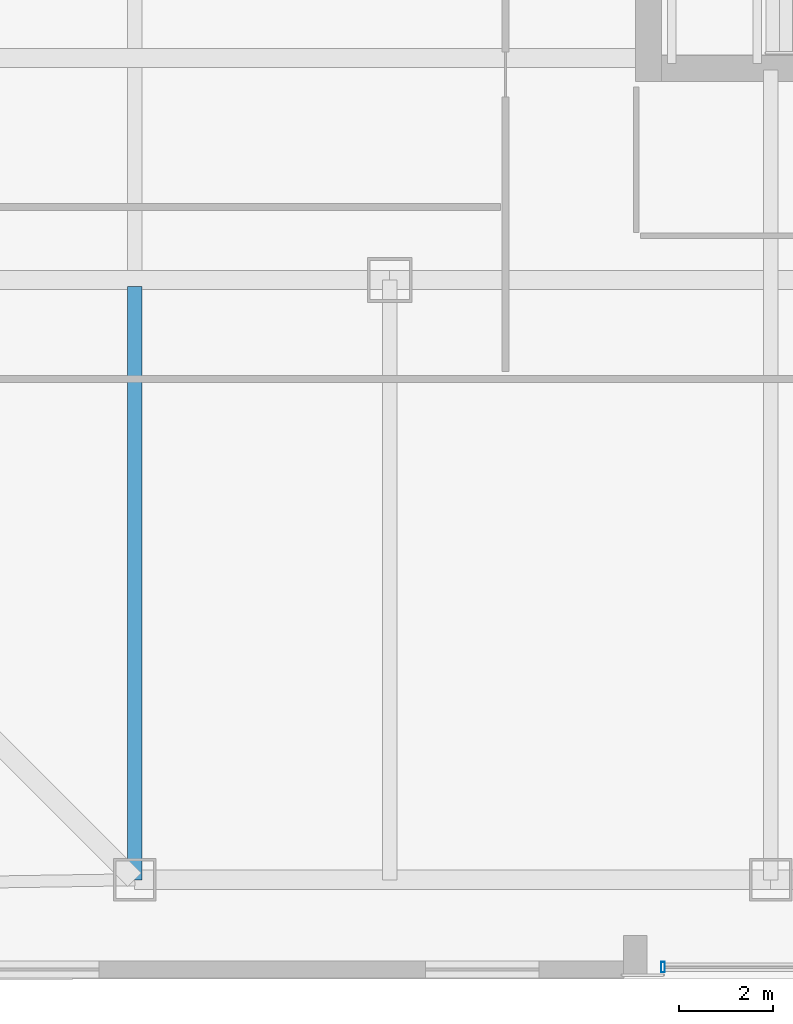
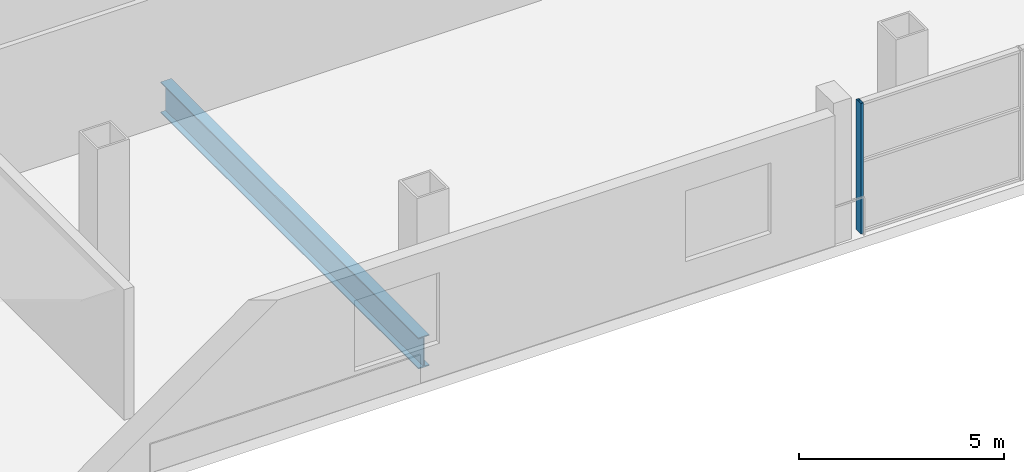
# One storey, part 2 of 21: 1 beam, 1 member, 1 element without a shape of its own.
"""IFC4 building model written with IfcOpenShell, lengths in metres."""

from ifc_helpers import new_model, si_unit, direction, frame, origin, origin_2d, place, context, subcontext, project, spatial, hollow_rectangle, i_section, extrude, material, layer, layer_set, material_profile, profile_set, type_object, element, aggregate, save


model = new_model("IFC4")

# Units and contexts
model_context = context("Model", 3, precision=1e-05, world=origin(), true_north=direction((0.0, 1.0)))
body_context = subcontext(model_context, "Body", "Model", "MODEL_VIEW")
ifc_project = project(units=[si_unit("LENGTHUNIT", "METRE"), si_unit("AREAUNIT", "SQUARE_METRE"), si_unit("VOLUMEUNIT", "CUBIC_METRE"), si_unit("PLANEANGLEUNIT", "RADIAN"), si_unit("MASSUNIT", "GRAM", prefix="KILO")], contexts=[model_context])

# Site, building, storey
site_placement = place(None, origin())
site = spatial("IfcSite", under=ifc_project, at=site_placement, CompositionType="ELEMENT")
building_placement = place(site_placement, origin())
building = spatial("IfcBuilding", under=site, at=building_placement, Name="Qhalaya Broadcast Tower", CompositionType="ELEMENT")
storey_placement = place(building_placement, frame((0.0, 0.0, 9.300048828125)))
storey = spatial("IfcBuildingStorey", under=building, at=storey_placement, Name="L02", CompositionType="ELEMENT", Elevation=9.300048828125)

# Beam
ifc_material_1 = material(Name="Structural Steel ASTM A992 Grade 50", Category="steel")
ifc_material_profile_1 = material_profile(ifc_material_1, i_section(OverallWidth=0.306884765625, OverallDepth=0.927001953125, WebThickness=0.019287109375, FlangeThickness=0.031982421875, at=origin_2d()), Name="W36X194")
ifc_profile_set_1 = profile_set([ifc_material_profile_1], Name="Structural Steel ASTM A992 Grade 50")
beam_type = type_object("IfcBeamType", Name="Heavy Studio Floor Beam B01", PredefinedType="BEAM", material=ifc_profile_set_1)
beam_placement = place(storey_placement, frame((-20.199951171875, -25.89990234375, -0.783447265625), z_axis=(0.0, 1.0, 0.0), x_axis=(-1.0, 0.0, 0.0)))
element("IfcBeam", 1, at=beam_placement, inside=storey, type_object=beam_type, Name="L02 B01 L02-JS-S-20.2", PredefinedType="BEAM", context=body_context, shape_type="SweptSolid", body=[
    extrude(i_section(OverallWidth=0.306884765625, OverallDepth=0.927001953125, WebThickness=0.019287109375, FlangeThickness=0.031982421875, at=origin_2d()), origin(), (0.0, 0.0, 1.0), 12.559814453125),
])

# Curtain wall, member
ifc_material_2 = material(Name="Solar-Control Low-E Triple Glazing", Category="glass")
ifc_layer = layer(ifc_material_2, 0.219970703125, Name="Solar-Control Low-E Triple Glazing")
ifc_layer_set = layer_set([ifc_layer], Name="Solar-Control Low-E Triple Glazing")
curtain_wall_type = type_object("IfcCurtainWallType", Name="Podium Concourse Triple-Height Glazed Portal CW-01", PredefinedType="NOTDEFINED", material=ifc_layer_set)
curtain_wall_placement = place(storey_placement, origin())
curtain_wall = element("IfcCurtainWall", 2, at=curtain_wall_placement, inside=storey, type_object=curtain_wall_type, Name="L02 Unitised Curtain Wall L02-CW01-S", PredefinedType="NOTDEFINED")
ifc_material_3 = material(Name="Anodised Aluminium 6063-T6", Category="aluminium")
ifc_material_profile_2 = material_profile(ifc_material_3, hollow_rectangle(XDim=0.074951171875, YDim=0.219970703125, WallThickness=0.00390625, at=origin_2d()), Name="ALU-MUL 75x220x4")
ifc_profile_set_2 = profile_set([ifc_material_profile_2], Name="Anodised Aluminium 6063-T6")
member_type = type_object("IfcMemberType", Name="Unitised Curtain-Wall Mullion M01", PredefinedType="MULLION", material=ifc_profile_set_2)
member_placement = place(storey_placement, frame((-9.012451171875, -27.75, 0.0), z_axis=(0.0, 0.0, 1.0), x_axis=(1.0, 0.0, 0.0)))
member = element("IfcMember", 3, at=member_placement, type_object=member_type, Name="CW-01 mullion 1", PredefinedType="MULLION", context=body_context, shape_type="SweptSolid", body=[
    extrude(hollow_rectangle(XDim=0.074951171875, YDim=0.219970703125, WallThickness=0.00390625, at=origin_2d()), origin(), (0.0, 0.0, 1.0), 3.8798828125),
])
aggregate(curtain_wall, [member])

save(model, "model.ifc")
